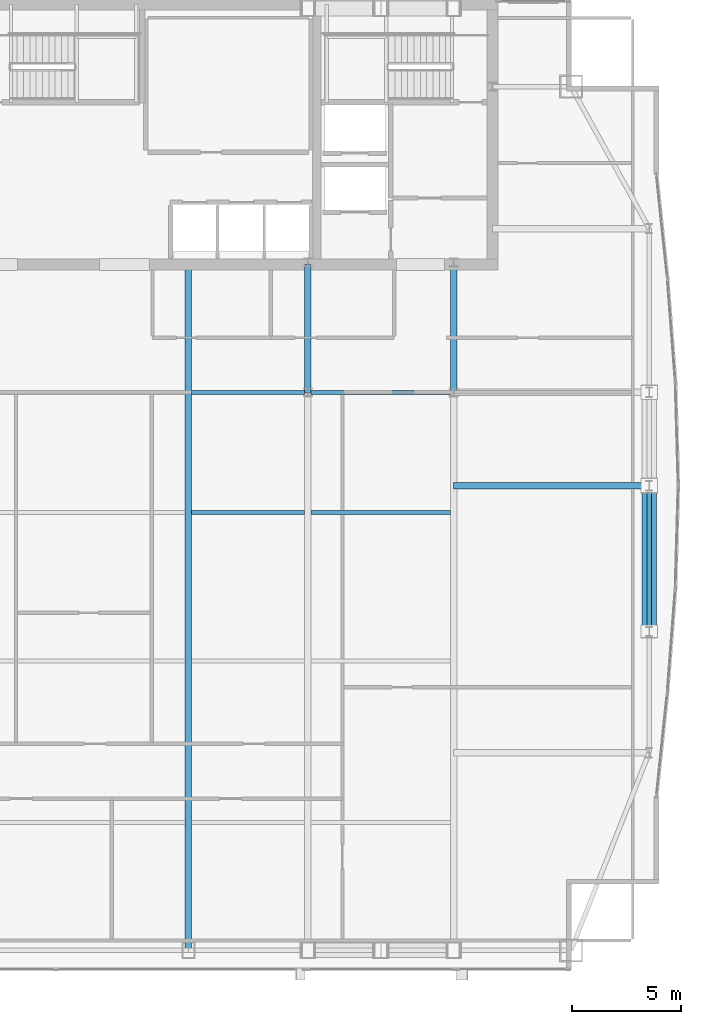
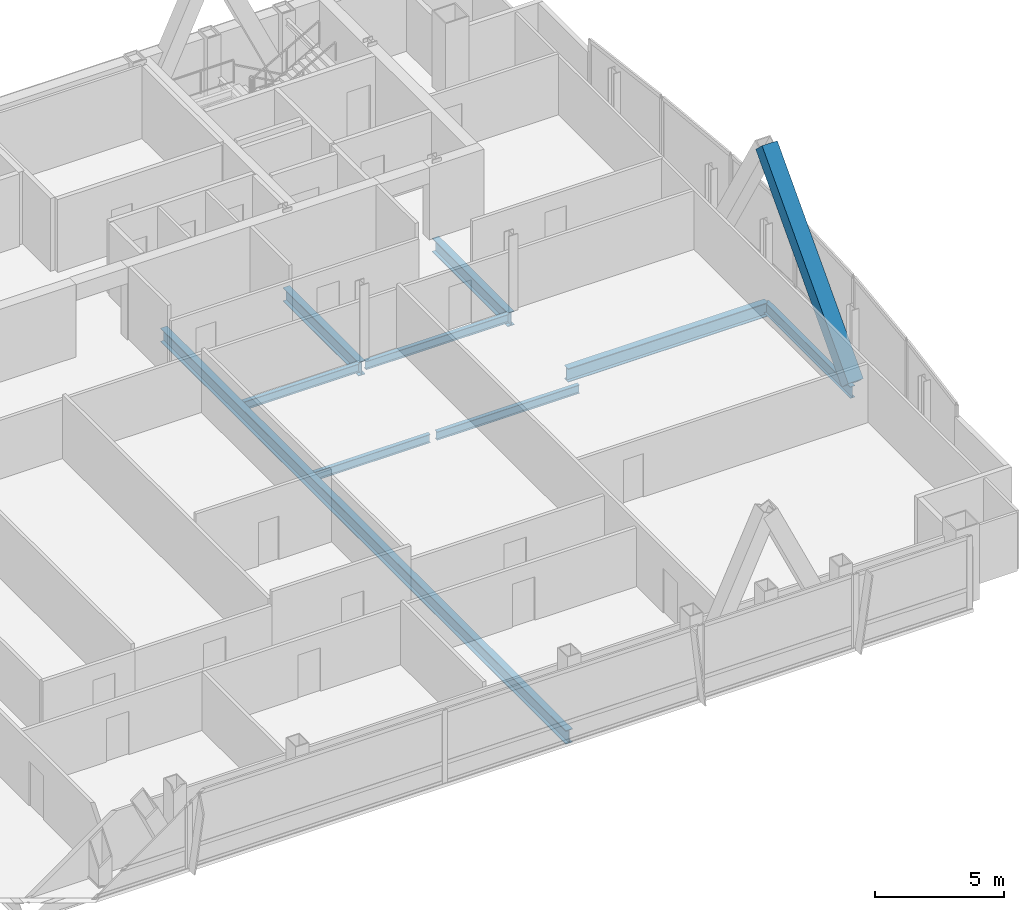
# One storey, part 17 of 30: 9 beams, 1 member.
"""IFC4 building model written with IfcOpenShell, lengths in metres."""

from ifc_helpers import new_model, si_unit, direction, frame, origin, origin_2d, place, context, subcontext, project, spatial, hollow_rectangle, i_section, extrude, material, material_profile, profile_set, type_object, element, save


model = new_model("IFC4")

# Units and contexts
model_context = context("Model", 3, precision=1e-05, world=origin(), true_north=direction((0.0, 1.0)))
body_context = subcontext(model_context, "Body", "Model", "MODEL_VIEW")
ifc_project = project(units=[si_unit("LENGTHUNIT", "METRE"), si_unit("AREAUNIT", "SQUARE_METRE"), si_unit("VOLUMEUNIT", "CUBIC_METRE"), si_unit("PLANEANGLEUNIT", "RADIAN"), si_unit("MASSUNIT", "GRAM", prefix="KILO")], contexts=[model_context])

# Site, building, storey
site_placement = place(None, origin())
site = spatial("IfcSite", under=ifc_project, at=site_placement, CompositionType="ELEMENT")
building_placement = place(site_placement, origin())
building = spatial("IfcBuilding", under=site, at=building_placement, Name="Khoronbel Lancet Exchange", CompositionType="ELEMENT")
storey_placement = place(building_placement, frame((0.0, 0.0, 284.199951171875)))
storey = spatial("IfcBuildingStorey", under=building, at=storey_placement, Name="L73", CompositionType="ELEMENT", Elevation=284.199951171875)

# Beams
ifc_material_1 = material(Name="Steel S355", Category="steel")
ifc_material_profile_1 = material_profile(ifc_material_1, i_section(OverallWidth=0.300048828125, OverallDepth=0.64990234375, WebThickness=0.01611328125, FlangeThickness=0.031005859375, at=origin_2d()), Name="HEB 650")
ifc_profile_set_1 = profile_set([ifc_material_profile_1], Name="Steel S355")
beam_type_1 = type_object("IfcBeamType", Name="BM-BG4", PredefinedType="BEAM", material=ifc_profile_set_1)
beam_1_placement = place(storey_placement, frame((42.52490234375, 10.14990234375, -0.48486328125), z_axis=(0.0, 1.0, 0.0), x_axis=(-1.0, 0.0, 0.0)))
element("IfcBeam", 1, at=beam_1_placement, inside=storey, type_object=beam_type_1, Name="Level L73 primary floor girder G4", PredefinedType="BEAM", context=body_context, shape_type="SweptSolid", body=[
    extrude(i_section(OverallWidth=0.300048828125, OverallDepth=0.64990234375, WebThickness=0.01611328125, FlangeThickness=0.031005859375, at=origin_2d()), origin(), (0.0, 0.0, 1.0), 31.400146484375),
])
for number, where, z_axis, x_axis, name in (
    (2, (48.0, 35.699951171875, -0.48486328125), (0.0, 1.0, 0.0), (-1.0, 0.0, 0.0), "Level L73 spine tie girder GN5"),
    (3, (54.675048828125, 35.699951171875, -0.48486328125), (0.0, 1.0, 0.0), (-1.0, 0.0, 0.0), "Level L73 spine tie girder GN6"),
):
    element("IfcBeam", number, at=place(storey_placement, frame(where, z_axis=z_axis, x_axis=x_axis)), inside=storey, type_object=beam_type_1, Name=name, PredefinedType="BEAM", context=body_context, shape_type="SweptSolid", body=[
        extrude(i_section(OverallWidth=0.300048828125, OverallDepth=0.64990234375, WebThickness=0.01611328125, FlangeThickness=0.031005859375, at=origin_2d()), origin(), (0.0, 0.0, 1.0), 5.85009765625),
    ])
beam_2_placement = place(storey_placement, frame((54.675048828125, 31.425048828125, -0.48486328125), z_axis=(1.0, 0.0, 0.0), x_axis=(0.0, 1.0, 0.0)))
element("IfcBeam", 4, at=beam_2_placement, inside=storey, type_object=beam_type_1, Name="Level L73 east lens tie girder LG2E", PredefinedType="BEAM", context=body_context, shape_type="SweptSolid", body=[
    extrude(i_section(OverallWidth=0.300048828125, OverallDepth=0.64990234375, WebThickness=0.01611328125, FlangeThickness=0.031005859375, at=origin_2d()), origin(), (0.0, 0.0, 1.0), 8.954833984375),
])
ifc_material_profile_2 = material_profile(ifc_material_1, i_section(OverallWidth=0.179931640625, OverallDepth=0.39990234375, WebThickness=0.008544921875, FlangeThickness=0.013427734375, at=origin_2d()), Name="IPE 400")
ifc_profile_set_2 = profile_set([ifc_material_profile_2], Name="Steel S355")
beam_type_2 = type_object("IfcBeamType", Name="BM-BJ5", PredefinedType="JOIST", material=ifc_profile_set_2)
beam_3_placement = place(storey_placement, frame((42.675048828125, 30.199951171875, -0.35986328125), z_axis=(1.0, 0.0, 0.0), x_axis=(0.0, 1.0, 0.0)))
element("IfcBeam", 5, at=beam_3_placement, inside=storey, type_object=beam_type_2, Name="Level L73 secondary composite joist J14", PredefinedType="JOIST", context=body_context, shape_type="SweptSolid", body=[
    extrude(i_section(OverallWidth=0.179931640625, OverallDepth=0.39990234375, WebThickness=0.008544921875, FlangeThickness=0.013427734375, at=origin_2d()), origin(), (0.0, 0.0, 1.0), 5.175048828125),
])
beam_4_placement = place(storey_placement, frame((48.14990234375, 30.199951171875, -0.35986328125), z_axis=(1.0, 0.0, 0.0), x_axis=(0.0, 1.0, 0.0)))
element("IfcBeam", 6, at=beam_4_placement, inside=storey, type_object=beam_type_2, Name="Level L73 secondary composite joist J15", PredefinedType="JOIST", context=body_context, shape_type="SweptSolid", body=[
    extrude(i_section(OverallWidth=0.179931640625, OverallDepth=0.39990234375, WebThickness=0.008544921875, FlangeThickness=0.013427734375, at=origin_2d()), origin(), (0.0, 0.0, 1.0), 6.375),
])
beam_5_placement = place(storey_placement, frame((42.675048828125, 35.699951171875, -0.35986328125), z_axis=(1.0, 0.0, 0.0), x_axis=(0.0, 1.0, 0.0)))
element("IfcBeam", 7, at=beam_5_placement, inside=storey, type_object=beam_type_2, Name="Level L73 secondary composite joist J19", PredefinedType="JOIST", context=body_context, shape_type="SweptSolid", body=[
    extrude(i_section(OverallWidth=0.179931640625, OverallDepth=0.39990234375, WebThickness=0.008544921875, FlangeThickness=0.013427734375, at=origin_2d()), origin(), (0.0, 0.0, 1.0), 5.175048828125),
])
beam_6_placement = place(storey_placement, frame((48.14990234375, 35.699951171875, -0.35986328125), z_axis=(1.0, 0.0, 0.0), x_axis=(0.0, 1.0, 0.0)))
element("IfcBeam", 8, at=beam_6_placement, inside=storey, type_object=beam_type_2, Name="Level L73 secondary composite joist J20", PredefinedType="JOIST", context=body_context, shape_type="SweptSolid", body=[
    extrude(i_section(OverallWidth=0.179931640625, OverallDepth=0.39990234375, WebThickness=0.008544921875, FlangeThickness=0.013427734375, at=origin_2d()), origin(), (0.0, 0.0, 1.0), 6.375),
])
ifc_material_profile_3 = material_profile(ifc_material_1, i_section(OverallWidth=0.2099609375, OverallDepth=0.550048828125, WebThickness=0.010986328125, FlangeThickness=0.01708984375, at=origin_2d()), Name="IPE 550")
ifc_profile_set_3 = profile_set([ifc_material_profile_3], Name="Steel S355")
beam_type_3 = type_object("IfcBeamType", Name="BM-BSP3", PredefinedType="SPANDREL", material=ifc_profile_set_3)
beam_7_placement = place(storey_placement, frame((63.6298828125, 24.75, -0.43505859375), z_axis=(0.0, 1.0, 0.0), x_axis=(-1.0, 0.0, 0.0)))
element("IfcBeam", 9, at=beam_7_placement, inside=storey, type_object=beam_type_3, Name="Level L73 perimeter spandrel beam SP12", PredefinedType="SPANDREL", context=body_context, shape_type="SweptSolid", body=[
    extrude(i_section(OverallWidth=0.2099609375, OverallDepth=0.550048828125, WebThickness=0.010986328125, FlangeThickness=0.01708984375, at=origin_2d()), origin(), (0.0, 0.0, 1.0), 6.675048828125),
])

# Member
ifc_material_2 = material(Name="Steel S460", Category="steel")
ifc_material_profile_4 = material_profile(ifc_material_2, hollow_rectangle(XDim=0.679931640625, YDim=0.679931640625, WallThickness=0.044921875, at=origin_2d()), Name="BOX 680x680x45")
ifc_profile_set_4 = profile_set([ifc_material_profile_4], Name="Steel S460")
member_type = type_object("IfcMemberType", Name="MEM-MB3", PredefinedType="BRACE", material=ifc_profile_set_4)
member_placement = place(storey_placement, frame((63.6298828125, 24.75, 0.0), z_axis=(0.0, 0.679870035637, 0.733332622105), x_axis=(-1.0, 0.0, 0.0)))
element("IfcMember", 10, at=member_placement, inside=storey, type_object=member_type, Name="Perimeter lancet brace tier 25 E-P-L", PredefinedType="BRACE", context=body_context, shape_type="SweptSolid", body=[
    extrude(hollow_rectangle(XDim=0.679931640625, YDim=0.679931640625, WallThickness=0.044921875, at=origin_2d()), origin(), (0.0, 0.0, 1.0), 9.818115234375),
])

save(model, "model.ifc")
